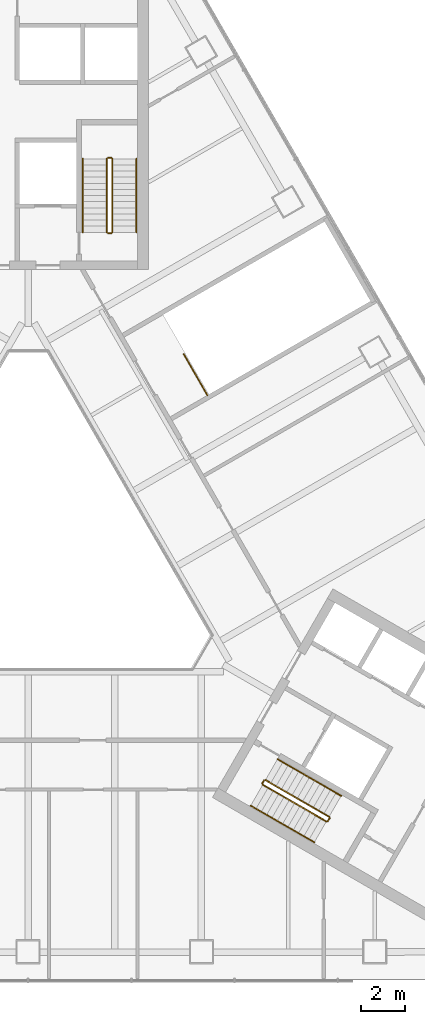
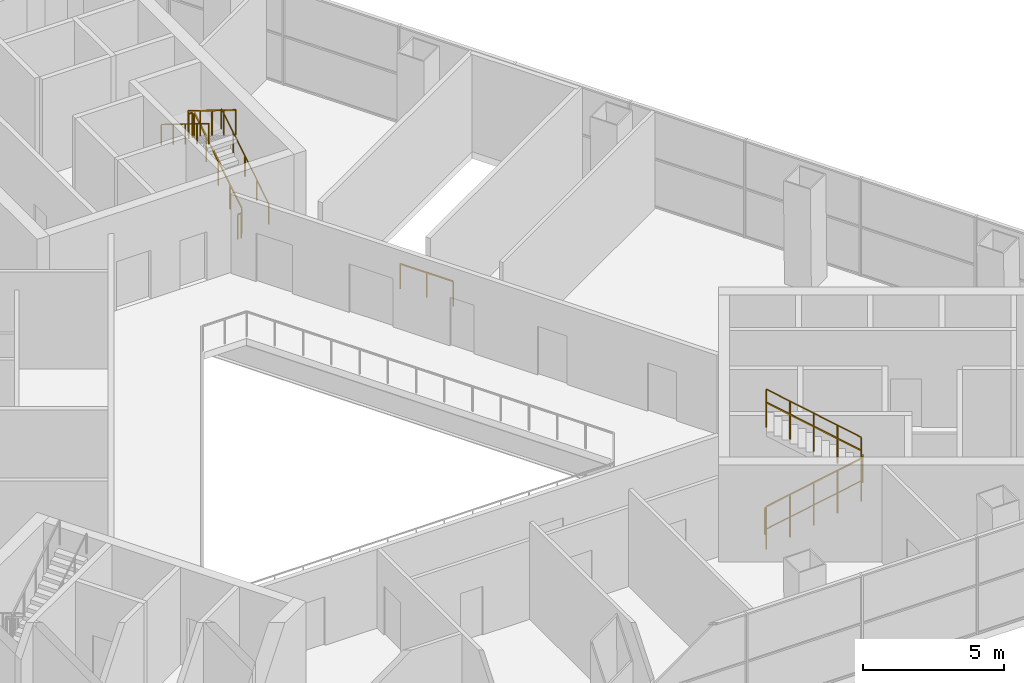
# One storey, part 12 of 12: 13 railings.
"""IFC4 building model written with IfcOpenShell, lengths in metres."""

from ifc_helpers import new_model, si_unit, direction, frame, origin, origin_2d, place, context, subcontext, project, spatial, rectangle, circle, extrude, material, type_object, element, save


model = new_model("IFC4")

# Units and contexts
model_context = context("Model", 3, precision=1e-05, world=origin(), true_north=direction((0.0, 1.0)))
body_context = subcontext(model_context, "Body", "Model", "MODEL_VIEW")
ifc_project = project(units=[si_unit("LENGTHUNIT", "METRE"), si_unit("AREAUNIT", "SQUARE_METRE"), si_unit("VOLUMEUNIT", "CUBIC_METRE"), si_unit("PLANEANGLEUNIT", "RADIAN"), si_unit("MASSUNIT", "GRAM", prefix="KILO")], contexts=[model_context])

# Site, building, storey
site_placement = place(None, origin())
site = spatial("IfcSite", under=ifc_project, at=site_placement, CompositionType="ELEMENT")
building_placement = place(site_placement, origin())
building = spatial("IfcBuilding", under=site, at=building_placement, Name="Apuvela Tower Hotel", CompositionType="ELEMENT")
storey_placement = place(building_placement, frame((0.0, 0.0, 33.0)))
storey = spatial("IfcBuildingStorey", under=building, at=storey_placement, Name="L05", CompositionType="ELEMENT", Elevation=33.0)

# Railings
ifc_material_1 = material(Name="Steel S275 balustrade", Category="steel")
railing_type_1 = type_object("IfcRailingType", Name="COR-GUARD-1100", PredefinedType="GUARDRAIL", material=ifc_material_1)
railing_1_placement = place(storey_placement, frame((3.85009765625, 14.60009765625, 0.173095703125)))
element("IfcRailing", 1, at=railing_1_placement, inside=storey, type_object=railing_type_1, Name="L05 ST1 stair guard 1", PredefinedType="GUARDRAIL", context=body_context, shape_type="SweptSolid", body=[
    extrude(rectangle(XDim=0.048095703125, YDim=0.048095703125, at=origin_2d()), frame((0.0, 0.0, 1.076171875), z_axis=(0.0, 0.850606129759, 0.525803396734), x_axis=(-1.0, 0.0, 0.0)), (0.0, 0.0, 1.0), 3.949951171875),
    extrude(rectangle(XDim=0.0419921875, YDim=0.0419921875, at=origin_2d()), origin(), (0.0, 0.0, 1.0), 1.052001953125),
    extrude(rectangle(XDim=0.0419921875, YDim=0.0419921875, at=origin_2d()), frame((0.0, 0.83984375, 0.519287109375)), (0.0, 0.0, 1.0), 1.052001953125),
    extrude(rectangle(XDim=0.0419921875, YDim=0.0419921875, at=origin_2d()), frame((0.0, 1.679931640625, 1.03857421875)), (0.0, 0.0, 1.0), 1.052001953125),
    extrude(rectangle(XDim=0.0419921875, YDim=0.0419921875, at=origin_2d()), frame((0.0, 2.52001953125, 1.5576171875)), (0.0, 0.0, 1.0), 1.052001953125),
    extrude(rectangle(XDim=0.0419921875, YDim=0.0419921875, at=origin_2d()), frame((0.0, 3.35986328125, 2.076904296875)), (0.0, 0.0, 1.0), 1.052001953125),
])
railing_2_placement = place(storey_placement, frame((3.800048828125, 18.010009765625, 2.25)))
element("IfcRailing", 2, at=railing_2_placement, inside=storey, type_object=railing_type_1, Name="L05 ST1 stair guard 2", PredefinedType="GUARDRAIL", context=body_context, shape_type="SweptSolid", body=[
    extrude(rectangle(XDim=0.048095703125, YDim=0.048095703125, at=origin_2d()), frame((0.0, 0.0, 1.076171875), z_axis=(-1.0, 0.0, 0.0), x_axis=(0.0, -1.0, 0.0)), (0.0, 0.0, 1.0), 0.150146484375),
    extrude(rectangle(XDim=0.0419921875, YDim=0.0419921875, at=origin_2d()), origin(), (0.0, 0.0, 1.0), 1.052001953125),
    extrude(rectangle(XDim=0.0419921875, YDim=0.0419921875, at=origin_2d()), frame((-0.150146484375, 0.0, 0.0)), (0.0, 0.0, 1.0), 1.052001953125),
])
railing_3_placement = place(storey_placement, frame((3.60009765625, 17.9599609375, 2.423095703125)))
element("IfcRailing", 3, at=railing_3_placement, inside=storey, type_object=railing_type_1, Name="L05 ST1 stair guard 3", PredefinedType="GUARDRAIL", context=body_context, shape_type="SweptSolid", body=[
    extrude(rectangle(XDim=0.048095703125, YDim=0.048095703125, at=origin_2d()), frame((0.0, 0.0, 1.076171875), z_axis=(0.0, -0.850606129759, 0.525803396734), x_axis=(1.0, 0.0, 0.0)), (0.0, 0.0, 1.0), 3.949951171875),
    extrude(rectangle(XDim=0.0419921875, YDim=0.0419921875, at=origin_2d()), origin(), (0.0, 0.0, 1.0), 1.052001953125),
    extrude(rectangle(XDim=0.0419921875, YDim=0.0419921875, at=origin_2d()), frame((0.0, -0.83984375, 0.519287109375)), (0.0, 0.0, 1.0), 1.052001953125),
    extrude(rectangle(XDim=0.0419921875, YDim=0.0419921875, at=origin_2d()), frame((0.0, -1.679931640625, 1.03857421875)), (0.0, 0.0, 1.0), 1.052001953125),
    extrude(rectangle(XDim=0.0419921875, YDim=0.0419921875, at=origin_2d()), frame((0.0, -2.52001953125, 1.5576171875)), (0.0, 0.0, 1.0), 1.052001953125),
    extrude(rectangle(XDim=0.0419921875, YDim=0.0419921875, at=origin_2d()), frame((0.0, -3.35986328125, 2.076904296875)), (0.0, 0.0, 1.0), 1.052001953125),
])
railing_4_placement = place(storey_placement, frame((3.800048828125, 14.550048828125, 0.0)))
element("IfcRailing", 4, at=railing_4_placement, inside=storey, type_object=railing_type_1, Name="L05 ST1 stair guard 4", PredefinedType="GUARDRAIL", context=body_context, shape_type="SweptSolid", body=[
    extrude(rectangle(XDim=0.048095703125, YDim=0.048095703125, at=origin_2d()), frame((0.0, 0.0, 1.076171875), z_axis=(-1.0, 0.0, 0.0), x_axis=(0.0, -1.0, 0.0)), (0.0, 0.0, 1.0), 0.150146484375),
    extrude(rectangle(XDim=0.0419921875, YDim=0.0419921875, at=origin_2d()), origin(), (0.0, 0.0, 1.0), 1.052001953125),
    extrude(rectangle(XDim=0.0419921875, YDim=0.0419921875, at=origin_2d()), frame((-0.150146484375, 0.0, 0.0)), (0.0, 0.0, 1.0), 1.052001953125),
])
railing_5_placement = place(storey_placement, frame((10.718994140625, -10.63427734375, 0.173095703125)))
element("IfcRailing", 5, at=railing_5_placement, inside=storey, type_object=railing_type_1, Name="L05 ST3 stair guard 1", PredefinedType="GUARDRAIL", context=body_context, shape_type="SweptSolid", body=[
    extrude(rectangle(XDim=0.048095703125, YDim=0.048095703125, at=origin_2d()), frame((0.0, 0.0, 1.076171875), z_axis=(0.736667954249, -0.425288379326, 0.525785240943), x_axis=(0.499976138585, 0.866039179741, 0.0)), (0.0, 0.0, 1.0), 3.9501953125),
    extrude(rectangle(XDim=0.0419921875, YDim=0.0419921875, at=origin_2d()), origin(), (0.0, 0.0, 1.0), 1.052001953125),
    extrude(rectangle(XDim=0.0419921875, YDim=0.0419921875, at=origin_2d()), frame((0.7275390625, -0.419921875, 0.519287109375)), (0.0, 0.0, 1.0), 1.052001953125),
    extrude(rectangle(XDim=0.0419921875, YDim=0.0419921875, at=origin_2d()), frame((1.455078125, -0.83984375, 1.03857421875)), (0.0, 0.0, 1.0), 1.052001953125),
    extrude(rectangle(XDim=0.0419921875, YDim=0.0419921875, at=origin_2d()), frame((2.182373046875, -1.260009765625, 1.5576171875)), (0.0, 0.0, 1.0), 1.052001953125),
    extrude(rectangle(XDim=0.0419921875, YDim=0.0419921875, at=origin_2d()), frame((2.909912109375, -1.679931640625, 2.076904296875)), (0.0, 0.0, 1.0), 1.052001953125),
])
railing_6_placement = place(storey_placement, frame((13.697021484375, -12.2958984375, 2.25)))
element("IfcRailing", 6, at=railing_6_placement, inside=storey, type_object=railing_type_1, Name="L05 ST3 stair guard 2", PredefinedType="GUARDRAIL", context=body_context, shape_type="SweptSolid", body=[
    extrude(rectangle(XDim=0.048095703125, YDim=0.048095703125, at=origin_2d()), frame((0.0, 0.0, 1.076171875), z_axis=(0.501036270542, 0.865426285481, 0.0), x_axis=(-0.865426285481, 0.501036270542, 0.0)), (0.0, 0.0, 1.0), 0.150146484375),
    extrude(rectangle(XDim=0.0419921875, YDim=0.0419921875, at=origin_2d()), origin(), (0.0, 0.0, 1.0), 1.052001953125),
    extrude(rectangle(XDim=0.0419921875, YDim=0.0419921875, at=origin_2d()), frame((0.0751953125, 0.1298828125, 0.0)), (0.0, 0.0, 1.0), 1.052001953125),
])
railing_7_placement = place(storey_placement, frame((13.75390625, -12.09765625, 2.423095703125)))
element("IfcRailing", 7, at=railing_7_placement, inside=storey, type_object=railing_type_1, Name="L05 ST3 stair guard 3", PredefinedType="GUARDRAIL", context=body_context, shape_type="SweptSolid", body=[
    extrude(rectangle(XDim=0.048095703125, YDim=0.048095703125, at=origin_2d()), frame((0.0, 0.0, 1.076171875), z_axis=(-0.736667954249, 0.425288379326, 0.525785240943), x_axis=(-0.499976138585, -0.866039179741, 0.0)), (0.0, 0.0, 1.0), 3.9501953125),
    extrude(rectangle(XDim=0.0419921875, YDim=0.0419921875, at=origin_2d()), origin(), (0.0, 0.0, 1.0), 1.052001953125),
    extrude(rectangle(XDim=0.0419921875, YDim=0.0419921875, at=origin_2d()), frame((-0.7275390625, 0.419921875, 0.519287109375)), (0.0, 0.0, 1.0), 1.052001953125),
    extrude(rectangle(XDim=0.0419921875, YDim=0.0419921875, at=origin_2d()), frame((-1.455078125, 0.83984375, 1.03857421875)), (0.0, 0.0, 1.0), 1.052001953125),
    extrude(rectangle(XDim=0.0419921875, YDim=0.0419921875, at=origin_2d()), frame((-2.182373046875, 1.260009765625, 1.5576171875)), (0.0, 0.0, 1.0), 1.052001953125),
    extrude(rectangle(XDim=0.0419921875, YDim=0.0419921875, at=origin_2d()), frame((-2.909912109375, 1.679931640625, 2.076904296875)), (0.0, 0.0, 1.0), 1.052001953125),
])
railing_8_placement = place(storey_placement, frame((10.70068359375, -10.56591796875, 0.0)))
element("IfcRailing", 8, at=railing_8_placement, inside=storey, type_object=railing_type_1, Name="L05 ST3 stair guard 4", PredefinedType="GUARDRAIL", context=body_context, shape_type="SweptSolid", body=[
    extrude(rectangle(XDim=0.048095703125, YDim=0.048095703125, at=origin_2d()), frame((0.0, 0.0, 1.076171875), z_axis=(0.499816412211, 0.866131372301, 0.0), x_axis=(-0.866131372301, 0.499816412211, 0.0)), (0.0, 0.0, 1.0), 0.14990234375),
    extrude(rectangle(XDim=0.0419921875, YDim=0.0419921875, at=origin_2d()), origin(), (0.0, 0.0, 1.0), 1.052001953125),
    extrude(rectangle(XDim=0.0419921875, YDim=0.0419921875, at=origin_2d()), frame((0.074951171875, 0.1298828125, 0.0)), (0.0, 0.0, 1.0), 1.052001953125),
])
ifc_material_2 = material(Name="Stainless steel 316 handrail", Category="steel")
railing_type_2 = type_object("IfcRailingType", Name="COR-HANDRAIL-900", PredefinedType="HANDRAIL", material=ifc_material_2)
railing_9_placement = place(storey_placement, frame((4.949951171875, 14.60009765625, 0.173095703125)))
element("IfcRailing", 9, at=railing_9_placement, inside=storey, type_object=railing_type_2, Name="L05 ST1 stair handrail 1", PredefinedType="HANDRAIL", context=body_context, shape_type="SweptSolid", body=[
    extrude(circle(Radius=0.02392578125, at=origin_2d()), frame((0.0, 0.0, 0.8759765625), z_axis=(0.0, 0.850606129759, 0.525803396734), x_axis=(-1.0, 0.0, 0.0)), (0.0, 0.0, 1.0), 3.949951171875),
    extrude(rectangle(XDim=0.0419921875, YDim=0.0419921875, at=origin_2d()), origin(), (0.0, 0.0, 1.0), 0.851806640625),
    extrude(rectangle(XDim=0.0419921875, YDim=0.0419921875, at=origin_2d()), frame((0.0, 0.83984375, 0.519287109375)), (0.0, 0.0, 1.0), 0.851806640625),
    extrude(rectangle(XDim=0.0419921875, YDim=0.0419921875, at=origin_2d()), frame((0.0, 1.679931640625, 1.03857421875)), (0.0, 0.0, 1.0), 0.851806640625),
    extrude(rectangle(XDim=0.0419921875, YDim=0.0419921875, at=origin_2d()), frame((0.0, 2.52001953125, 1.5576171875)), (0.0, 0.0, 1.0), 0.851806640625),
    extrude(rectangle(XDim=0.0419921875, YDim=0.0419921875, at=origin_2d()), frame((0.0, 3.35986328125, 2.076904296875)), (0.0, 0.0, 1.0), 0.851806640625),
])
railing_10_placement = place(storey_placement, frame((2.5, 17.9599609375, 2.423095703125)))
element("IfcRailing", 10, at=railing_10_placement, inside=storey, type_object=railing_type_2, Name="L05 ST1 stair handrail 2", PredefinedType="HANDRAIL", context=body_context, shape_type="SweptSolid", body=[
    extrude(circle(Radius=0.02392578125, at=origin_2d()), frame((0.0, 0.0, 0.8759765625), z_axis=(0.0, -0.850606129759, 0.525803396734), x_axis=(1.0, 0.0, 0.0)), (0.0, 0.0, 1.0), 3.949951171875),
    extrude(rectangle(XDim=0.0419921875, YDim=0.0419921875, at=origin_2d()), origin(), (0.0, 0.0, 1.0), 0.851806640625),
    extrude(rectangle(XDim=0.0419921875, YDim=0.0419921875, at=origin_2d()), frame((0.0, -0.83984375, 0.519287109375)), (0.0, 0.0, 1.0), 0.851806640625),
    extrude(rectangle(XDim=0.0419921875, YDim=0.0419921875, at=origin_2d()), frame((0.0, -1.679931640625, 1.03857421875)), (0.0, 0.0, 1.0), 0.851806640625),
    extrude(rectangle(XDim=0.0419921875, YDim=0.0419921875, at=origin_2d()), frame((0.0, -2.52001953125, 1.5576171875)), (0.0, 0.0, 1.0), 0.851806640625),
    extrude(rectangle(XDim=0.0419921875, YDim=0.0419921875, at=origin_2d()), frame((0.0, -3.35986328125, 2.076904296875)), (0.0, 0.0, 1.0), 0.851806640625),
])
railing_11_placement = place(storey_placement, frame((10.1689453125, -11.5869140625, 0.173095703125)))
element("IfcRailing", 11, at=railing_11_placement, inside=storey, type_object=railing_type_2, Name="L05 ST3 stair handrail 1", PredefinedType="HANDRAIL", context=body_context, shape_type="SweptSolid", body=[
    extrude(circle(Radius=0.02392578125, at=origin_2d()), frame((0.0, 0.0, 0.8759765625), z_axis=(0.736667954249, -0.425288379326, 0.525785240943), x_axis=(0.499976138585, 0.866039179741, 0.0)), (0.0, 0.0, 1.0), 3.9501953125),
    extrude(rectangle(XDim=0.0419921875, YDim=0.0419921875, at=origin_2d()), origin(), (0.0, 0.0, 1.0), 0.851806640625),
    extrude(rectangle(XDim=0.0419921875, YDim=0.0419921875, at=origin_2d()), frame((0.7275390625, -0.419921875, 0.519287109375)), (0.0, 0.0, 1.0), 0.851806640625),
    extrude(rectangle(XDim=0.0419921875, YDim=0.0419921875, at=origin_2d()), frame((1.455078125, -0.83984375, 1.03857421875)), (0.0, 0.0, 1.0), 0.851806640625),
    extrude(rectangle(XDim=0.0419921875, YDim=0.0419921875, at=origin_2d()), frame((2.182373046875, -1.260009765625, 1.5576171875)), (0.0, 0.0, 1.0), 0.851806640625),
    extrude(rectangle(XDim=0.0419921875, YDim=0.0419921875, at=origin_2d()), frame((2.909912109375, -1.679931640625, 2.076904296875)), (0.0, 0.0, 1.0), 0.851806640625),
])
railing_12_placement = place(storey_placement, frame((14.3037109375, -11.14501953125, 2.423095703125)))
element("IfcRailing", 12, at=railing_12_placement, inside=storey, type_object=railing_type_2, Name="L05 ST3 stair handrail 2", PredefinedType="HANDRAIL", context=body_context, shape_type="SweptSolid", body=[
    extrude(circle(Radius=0.02392578125, at=origin_2d()), frame((0.0, 0.0, 0.8759765625), z_axis=(-0.736639687092, 0.425307743487, 0.525809180911), x_axis=(-0.500007602105, -0.866021014662, 0.0)), (0.0, 0.0, 1.0), 3.949951171875),
    extrude(rectangle(XDim=0.0419921875, YDim=0.0419921875, at=origin_2d()), origin(), (0.0, 0.0, 1.0), 0.851806640625),
    extrude(rectangle(XDim=0.0419921875, YDim=0.0419921875, at=origin_2d()), frame((-0.7275390625, 0.419921875, 0.519287109375)), (0.0, 0.0, 1.0), 0.851806640625),
    extrude(rectangle(XDim=0.0419921875, YDim=0.0419921875, at=origin_2d()), frame((-1.454833984375, 0.83984375, 1.03857421875)), (0.0, 0.0, 1.0), 0.851806640625),
    extrude(rectangle(XDim=0.0419921875, YDim=0.0419921875, at=origin_2d()), frame((-2.18212890625, 1.260009765625, 1.5576171875)), (0.0, 0.0, 1.0), 0.851806640625),
    extrude(rectangle(XDim=0.0419921875, YDim=0.0419921875, at=origin_2d()), frame((-2.90966796875, 1.679931640625, 2.076904296875)), (0.0, 0.0, 1.0), 0.851806640625),
])
ifc_material_3 = material(Name="Steel S355 guard with laminated glass infill", Category="steel")
railing_type_3 = type_object("IfcRailingType", Name="SPC-GUARD-1100", PredefinedType="GUARDRAIL", material=ifc_material_3)
railing_13_placement = place(storey_placement, frame((8.19482421875, 7.15625, 0.0)))
element("IfcRailing", 13, at=railing_13_placement, inside=storey, type_object=railing_type_3, Name="L05 PS1 top well guard 1", PredefinedType="GUARDRAIL", context=body_context, shape_type="SweptSolid", body=[
    extrude(rectangle(XDim=0.048095703125, YDim=0.048095703125, at=origin_2d()), frame((0.0, 0.0, 1.076171875), z_axis=(-0.499978335414, 0.866037911478, 0.0), x_axis=(-0.866037911478, -0.499978335414, 0.0)), (0.0, 0.0, 1.0), 2.1748046875),
    extrude(rectangle(XDim=0.0419921875, YDim=0.0419921875, at=origin_2d()), origin(), (0.0, 0.0, 1.0), 1.052001953125),
    extrude(rectangle(XDim=0.0419921875, YDim=0.0419921875, at=origin_2d()), frame((-0.543701171875, 0.94189453125, 0.0)), (0.0, 0.0, 1.0), 1.052001953125),
    extrude(rectangle(XDim=0.0419921875, YDim=0.0419921875, at=origin_2d()), frame((-1.08740234375, 1.883544921875, 0.0)), (0.0, 0.0, 1.0), 1.052001953125),
])

save(model, "model.ifc")
